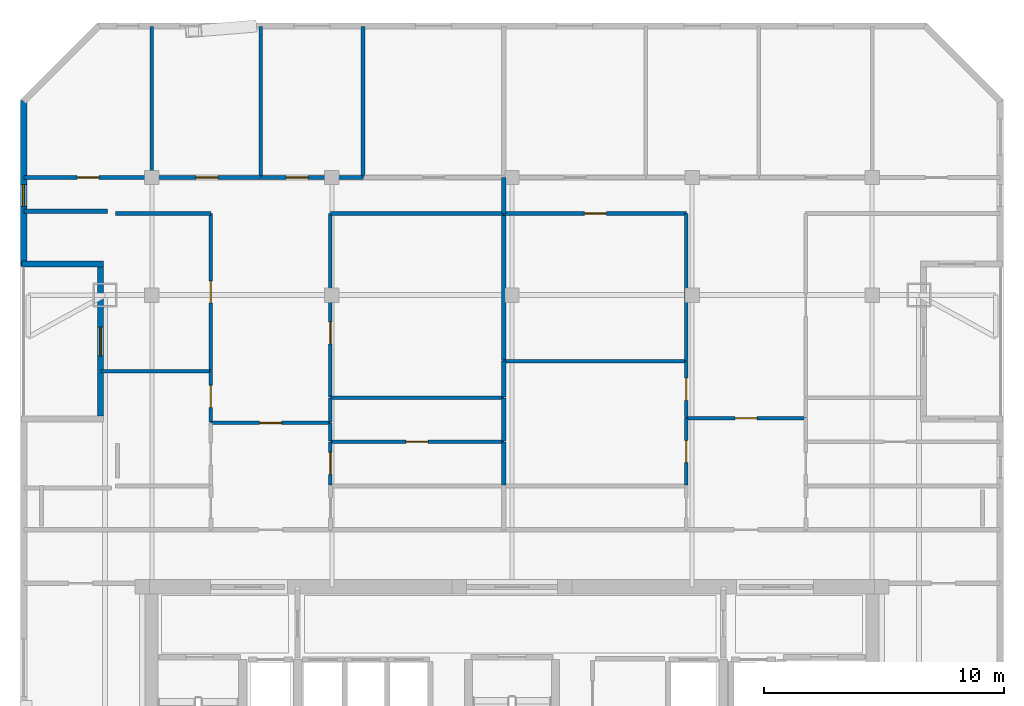
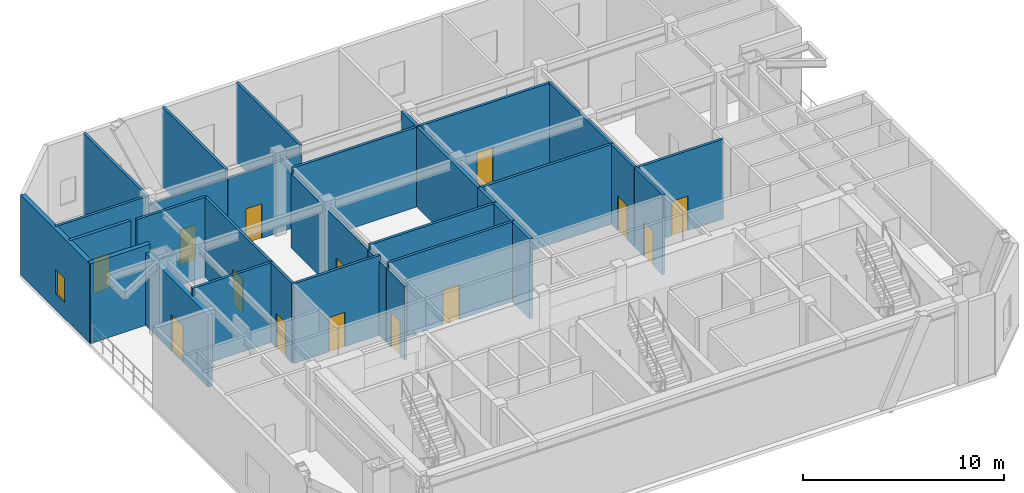
# One storey, part 4 of 7: 33 walls, 14 doors, 1 window, 15 openings.
"""IFC4 building model written with IfcOpenShell, lengths in metres."""

from ifc_helpers import new_model, si_unit, direction, frame, frame_2d, origin, place, context, subcontext, project, spatial, rectangle, extrude, material, layer, layer_set, type_object, element, fill, save


model = new_model("IFC4")

# Units and contexts
model_context = context("Model", 3, precision=1e-05, world=origin(), true_north=direction((0.0, 1.0)))
body_context = subcontext(model_context, "Body", "Model", "MODEL_VIEW")
ifc_project = project(units=[si_unit("LENGTHUNIT", "METRE"), si_unit("AREAUNIT", "SQUARE_METRE"), si_unit("VOLUMEUNIT", "CUBIC_METRE"), si_unit("PLANEANGLEUNIT", "RADIAN"), si_unit("MASSUNIT", "GRAM", prefix="KILO")], contexts=[model_context])

# Site, building, storey
site_placement = place(None, origin())
site = spatial("IfcSite", under=ifc_project, at=site_placement, CompositionType="ELEMENT")
building_placement = place(site_placement, origin())
building = spatial("IfcBuilding", under=site, at=building_placement, Name="Ventersveld Concourse Tower", CompositionType="ELEMENT")
storey_placement = place(building_placement, frame((0.0, 0.0, 276.0)))
storey = spatial("IfcBuildingStorey", under=building, at=storey_placement, Name="L68", CompositionType="ELEMENT", Elevation=276.0)

# Walls
ifc_material_1 = material(Name="Fire-rated autoclaved aerated masonry blockwork", Category="masonry")
ifc_layer_1 = layer(ifc_material_1, 0.179931640625)
ifc_layer_set_1 = layer_set([ifc_layer_1], Name="Fire-rated autoclaved aerated masonry blockwork")
wall_type_1 = type_object("IfcWallType", Name="WL-CORR-180", PredefinedType="PARTITIONING", material=ifc_layer_set_1)
wall_1_placement = place(storey_placement, frame((11.912109375, 27.090087890625, 0.0), z_axis=(0.0, 0.0, 1.0), x_axis=(-1.0, 0.0, 0.0)))
element("IfcWall", 1, at=wall_1_placement, inside=storey, type_object=wall_type_1, Name="L68 Room Enclosure Wall SP-L68-68N1-LIV", PredefinedType="PARTITIONING", context=body_context, shape_type="SweptSolid", body=[
    extrude(rectangle(XDim=3.480712890625, YDim=0.179931640625, at=frame_2d((1.740234375, 0.0))), origin(), (0.0, 0.0, 1.0), 4.85009765625),
])
ifc_layer_2 = layer(ifc_material_1, 0.199951171875)
ifc_layer_set_2 = layer_set([ifc_layer_2], Name="Fire-rated autoclaved aerated masonry blockwork")
wall_type_2 = type_object("IfcWallType", Name="WL-DEMISE-200", PredefinedType="PARTITIONING", material=ifc_layer_set_2)
wall_2_placement = place(storey_placement, frame((28.402587890625, 26.9951171875, 0.0), z_axis=(0.0, 0.0, 1.0), x_axis=(0.0, 1.0, 0.0)))
element("IfcWall", 2, at=wall_2_placement, inside=storey, type_object=wall_type_2, Name="L68 Interior Partition SP-L68-68N1-LIV-SP-L68-68N2-LIV", PredefinedType="PARTITIONING", context=body_context, shape_type="SweptSolid", body=[
    extrude(rectangle(XDim=1.509765625, YDim=0.199951171875, at=frame_2d((0.7548828125, 0.0))), origin(), (0.0, 0.0, 1.0), 4.85009765625),
])
for number, where, z_axis, x_axis, name in (
    (3, (28.402587890625, 15.695068359375, 0.0), (0.0, 0.0, 1.0), (0.0, 1.0, 0.0), "L68 Interior Partition SP-L68-68N1-KIT-SP-L68-68N2-OFFL0"),
    (4, (28.402587890625, 17.52490234375, 0.0), (0.0, 0.0, 1.0), (0.0, 1.0, 0.0), "L68 Interior Partition SP-L68-68N1-PANR1-SP-L68-68N2-OFFL0"),
):
    element("IfcWall", number, at=place(storey_placement, frame(where, z_axis=z_axis, x_axis=x_axis)), inside=storey, type_object=wall_type_2, Name=name, PredefinedType="PARTITIONING", context=body_context, shape_type="SweptSolid", body=[
        extrude(rectangle(XDim=1.800048828125, YDim=0.199951171875, at=frame_2d((0.89990234375, 0.0))), origin(), (0.0, 0.0, 1.0), 4.85009765625),
    ])
wall_3_placement = place(storey_placement, frame((28.402587890625, 19.35498046875, 0.0), z_axis=(0.0, 0.0, 1.0), x_axis=(0.0, 1.0, 0.0)))
element("IfcWall", 5, at=wall_3_placement, inside=storey, type_object=wall_type_2, Name="L68 Interior Partition SP-L68-68N1-DENR-SP-L68-68N2-OFFL0", PredefinedType="PARTITIONING", context=body_context, shape_type="SweptSolid", body=[
    extrude(rectangle(XDim=1.502685546875, YDim=0.199951171875, at=frame_2d((0.75146484375, 0.0))), origin(), (0.0, 0.0, 1.0), 4.85009765625),
])
wall_4_placement = place(storey_placement, frame((28.402587890625, 20.8876953125, 0.0), z_axis=(0.0, 0.0, 1.0), x_axis=(0.0, 1.0, 0.0)))
element("IfcWall", 6, at=wall_4_placement, inside=storey, type_object=wall_type_2, Name="L68 Interior Partition SP-L68-68N1-DENR-SP-L68-68N2-MEDL2", PredefinedType="PARTITIONING", context=body_context, shape_type="SweptSolid", body=[
    extrude(rectangle(XDim=6.077392578125, YDim=0.199951171875, at=frame_2d((3.03857421875, 0.0))), origin(), (0.0, 0.0, 1.0), 4.85009765625),
])

# Wall, opening, door
ifc_material_2 = material(Name="Autoclaved aerated masonry blockwork", Category="masonry")
ifc_layer_3 = layer(ifc_material_2, 0.14990234375)
ifc_layer_set_3 = layer_set([ifc_layer_3], Name="Autoclaved aerated masonry blockwork")
wall_type_3 = type_object("IfcWallType", Name="WL-INT-150", PredefinedType="PARTITIONING", material=ifc_layer_set_3)
wall_5_placement = place(storey_placement, frame((16.202392578125, 18.27978515625, 0.0), z_axis=(0.0, 0.0, 1.0), x_axis=(1.0, 0.0, 0.0)))
wall_5 = element("IfcWall", 7, at=wall_5_placement, inside=storey, type_object=wall_type_3, Name="L68 Interior Partition SP-L68-68N1-FOY-SP-L68-68N1-LIV", PredefinedType="PARTITIONING", context=body_context, shape_type="SweptSolid", body=[
    extrude(rectangle(XDim=4.989990234375, YDim=0.14990234375, at=frame_2d((2.4951171875, 0.0))), origin(), (0.0, 0.0, 1.0), 4.85009765625),
])
opening_1_placement = place(wall_5_placement, frame((2.034912109375, 0.0, 0.0)))
opening_1 = element("IfcOpeningElement", 8, at=opening_1_placement, cuts=wall_5, Name="Opening ID1", PredefinedType="OPENING", context=body_context, shape_type="SweptSolid", body=[
    extrude(rectangle(XDim=0.919921875, YDim=2.10009765625, at=frame_2d((0.4599609375, 1.050048828125))), frame((0.0, 0.0849609375, 0.0), z_axis=(0.0, -1.0, 0.0), x_axis=(1.0, 0.0, 0.0)), (0.0, 0.0, 1.0), 0.169921875),
])
ifc_material_3 = material(Name="Solid-core hardwood veneer timber", Category="wood")
door_type_1 = type_object("IfcDoorType", Name="DR-ROOM-092", OperationType="NOTDEFINED", PredefinedType="DOOR", material=ifc_material_3)
door_1_placement = place(opening_1_placement, origin())
door_1 = element("IfcDoor", 9, at=door_1_placement, inside=storey, type_object=door_type_1, Name="L68 Interior Door SP-L68-68N1-FOY to SP-L68-68N1-LIV (D-L68-3186)", OperationType="SINGLE_SWING_RIGHT", OverallHeight=2.10009765625, OverallWidth=0.919921875, PredefinedType="DOOR", context=body_context, shape_type="SweptSolid", body=[
    extrude(rectangle(XDim=0.919921875, YDim=2.10009765625, at=frame_2d((0.4599609375, 1.050048828125))), frame((0.0, 0.02490234375, 0.0), z_axis=(0.0, -1.0, 0.0), x_axis=(1.0, 0.0, 0.0)), (0.0, 0.0, 1.0), 0.050048828125),
])
fill(opening_1, door_1)

wall_6_placement = place(storey_placement, frame((21.1875, 15.695068359375, 0.0), z_axis=(0.0, 0.0, 1.0), x_axis=(0.0, 1.0, 0.0)))
wall_6 = element("IfcWall", 10, at=wall_6_placement, inside=storey, type_object=wall_type_3, Name="L68 Interior Partition SP-L68-68N1-FOY-SP-L68-68N1-KIT", PredefinedType="PARTITIONING", context=body_context, shape_type="SweptSolid", body=[
    extrude(rectangle(XDim=1.800048828125, YDim=0.14990234375, at=frame_2d((0.89990234375, 0.0))), origin(), (0.0, 0.0, 1.0), 4.4951171875),
])
opening_2_placement = place(wall_6_placement, frame((0.43994140625, 0.0, 0.0)))
opening_2 = element("IfcOpeningElement", 11, at=opening_2_placement, cuts=wall_6, Name="Opening ID1", PredefinedType="OPENING", context=body_context, shape_type="SweptSolid", body=[
    extrude(rectangle(XDim=0.919921875, YDim=2.10009765625, at=frame_2d((0.4599609375, 1.050048828125))), frame((0.0, 0.0849609375, 0.0), z_axis=(0.0, -1.0, 0.0), x_axis=(1.0, 0.0, 0.0)), (0.0, 0.0, 1.0), 0.169921875),
])
door_2_placement = place(opening_2_placement, origin())
door_2 = element("IfcDoor", 12, at=door_2_placement, inside=storey, type_object=door_type_1, Name="L68 Interior Door SP-L68-68N1-FOY to SP-L68-68N1-KIT (D-L68-3190)", OperationType="SINGLE_SWING_RIGHT", OverallHeight=2.10009765625, OverallWidth=0.919921875, PredefinedType="DOOR", context=body_context, shape_type="SweptSolid", body=[
    extrude(rectangle(XDim=0.919921875, YDim=2.10009765625, at=frame_2d((0.4599609375, 1.050048828125))), frame((0.0, 0.02490234375, 0.0), z_axis=(0.0, -1.0, 0.0), x_axis=(1.0, 0.0, 0.0)), (0.0, 0.0, 1.0), 0.050048828125),
])
fill(opening_2, door_2)

# Wall
wall_7_placement = place(storey_placement, frame((21.1875, 17.52490234375, 0.0), z_axis=(0.0, 0.0, 1.0), x_axis=(0.0, 1.0, 0.0)))
element("IfcWall", 13, at=wall_7_placement, inside=storey, type_object=wall_type_3, Name="L68 Interior Partition SP-L68-68N1-FOY-SP-L68-68N1-PANR1", PredefinedType="PARTITIONING", context=body_context, shape_type="SweptSolid", body=[
    extrude(rectangle(XDim=0.760009765625, YDim=0.14990234375, at=frame_2d((0.3798828125, 0.0))), origin(), (0.0, 0.0, 1.0), 4.4951171875),
])

# Wall, opening, door
wall_8_placement = place(storey_placement, frame((16.20751953125, 18.314697265625, 0.0), z_axis=(0.0, 0.0, 1.0), x_axis=(0.0, 1.0, 0.0)))
wall_8 = element("IfcWall", 14, at=wall_8_placement, inside=storey, type_object=wall_type_3, Name="L68 Interior Partition SP-L68-68N1-LIV-SP-L68-68N1-OFFL0", PredefinedType="PARTITIONING", context=body_context, shape_type="SweptSolid", body=[
    extrude(rectangle(XDim=2.12841796875, YDim=0.14990234375, at=frame_2d((1.064208984375, 0.0))), origin(), (0.0, 0.0, 1.0), 4.85009765625),
])
opening_3_placement = place(wall_8_placement, frame((0.604248046875, 0.0, 0.0)))
opening_3 = element("IfcOpeningElement", 15, at=opening_3_placement, cuts=wall_8, Name="Opening ID1", PredefinedType="OPENING", context=body_context, shape_type="SweptSolid", body=[
    extrude(rectangle(XDim=0.919921875, YDim=2.10009765625, at=frame_2d((0.4599609375, 1.050048828125))), frame((0.0, 0.0849609375, 0.0), z_axis=(0.0, -1.0, 0.0), x_axis=(1.0, 0.0, 0.0)), (0.0, 0.0, 1.0), 0.169921875),
])
door_3_placement = place(opening_3_placement, origin())
door_3 = element("IfcDoor", 16, at=door_3_placement, inside=storey, type_object=door_type_1, Name="L68 Interior Door SP-L68-68N1-LIV to SP-L68-68N1-OFFL0 (D-L68-3191)", OperationType="SINGLE_SWING_LEFT", OverallHeight=2.10009765625, OverallWidth=0.919921875, PredefinedType="DOOR", context=body_context, shape_type="SweptSolid", body=[
    extrude(rectangle(XDim=0.919921875, YDim=2.10009765625, at=frame_2d((0.4599609375, 1.050048828125))), frame((0.0, 0.02490234375, 0.0), z_axis=(0.0, -1.0, 0.0), x_axis=(1.0, 0.0, 0.0)), (0.0, 0.0, 1.0), 0.050048828125),
])
fill(opening_3, door_3)

wall_9_placement = place(storey_placement, frame((16.20751953125, 20.47314453125, 0.0), z_axis=(0.0, 0.0, 1.0), x_axis=(0.0, 1.0, 0.0)))
wall_9 = element("IfcWall", 17, at=wall_9_placement, inside=storey, type_object=wall_type_3, Name="L68 Interior Partition SP-L68-68N1-LIV-SP-L68-68N1-MEDL2", PredefinedType="PARTITIONING", context=body_context, shape_type="SweptSolid", body=[
    extrude(rectangle(XDim=6.53173828125, YDim=0.14990234375, at=frame_2d((3.265869140625, 0.0))), origin(), (0.0, 0.0, 1.0), 4.85009765625),
])
opening_4_placement = place(wall_9_placement, frame((2.805908203125, 0.0, 0.0)))
opening_4 = element("IfcOpeningElement", 18, at=opening_4_placement, cuts=wall_9, Name="Opening ID1", PredefinedType="OPENING", context=body_context, shape_type="SweptSolid", body=[
    extrude(rectangle(XDim=0.919921875, YDim=2.10009765625, at=frame_2d((0.4599609375, 1.050048828125))), frame((0.0, 0.0849609375, 0.0), z_axis=(0.0, -1.0, 0.0), x_axis=(1.0, 0.0, 0.0)), (0.0, 0.0, 1.0), 0.169921875),
])
door_4_placement = place(opening_4_placement, origin())
door_4 = element("IfcDoor", 19, at=door_4_placement, inside=storey, type_object=door_type_1, Name="L68 Interior Door SP-L68-68N1-LIV to SP-L68-68N1-MEDL2 (D-L68-3192)", OperationType="SINGLE_SWING_RIGHT", OverallHeight=2.10009765625, OverallWidth=0.919921875, PredefinedType="DOOR", context=body_context, shape_type="SweptSolid", body=[
    extrude(rectangle(XDim=0.919921875, YDim=2.10009765625, at=frame_2d((0.4599609375, 1.050048828125))), frame((0.0, 0.02490234375, 0.0), z_axis=(0.0, -1.0, 0.0), x_axis=(1.0, 0.0, 0.0)), (0.0, 0.0, 1.0), 0.050048828125),
])
fill(opening_4, door_4)

# Walls
wall_10_placement = place(storey_placement, frame((12.22705078125, 27.0, 0.0), z_axis=(0.0, 0.0, 1.0), x_axis=(1.0, 0.0, 0.0)))
element("IfcWall", 20, at=wall_10_placement, inside=storey, type_object=wall_type_3, Name="L68 Interior Partition SP-L68-68N1-LIV-SP-L68-68N1-MEDL2", PredefinedType="PARTITIONING", context=body_context, shape_type="SweptSolid", body=[
    extrude(rectangle(XDim=3.9853515625, YDim=0.14990234375, at=frame_2d((1.99267578125, 0.0))), origin(), (0.0, 0.0, 1.0), 4.85009765625),
])
wall_11_placement = place(storey_placement, frame((21.1875, 18.314697265625, 0.0), z_axis=(0.0, 0.0, 1.0), x_axis=(0.0, 1.0, 0.0)))
element("IfcWall", 21, at=wall_11_placement, inside=storey, type_object=wall_type_3, Name="L68 Interior Partition SP-L68-68N1-LIV-SP-L68-68N1-PANR1", PredefinedType="PARTITIONING", context=body_context, shape_type="SweptSolid", body=[
    extrude(rectangle(XDim=1.01025390625, YDim=0.14990234375, at=frame_2d((0.505126953125, 0.0))), origin(), (0.0, 0.0, 1.0), 4.4951171875),
])

# Wall, opening, door
wall_12_placement = place(storey_placement, frame((21.1875, 19.35498046875, 0.0), z_axis=(0.0, 0.0, 1.0), x_axis=(0.0, 1.0, 0.0)))
wall_12 = element("IfcWall", 22, at=wall_12_placement, inside=storey, type_object=wall_type_3, Name="L68 Interior Partition SP-L68-68N1-LIV-SP-L68-68N1-DENR", PredefinedType="PARTITIONING", context=body_context, shape_type="SweptSolid", body=[
    extrude(rectangle(XDim=7.64990234375, YDim=0.14990234375, at=frame_2d((3.824951171875, 0.0))), origin(), (0.0, 0.0, 1.0), 4.4951171875),
])
opening_5_placement = place(wall_12_placement, frame((2.217529296875, 0.0, 0.0)))
opening_5 = element("IfcOpeningElement", 23, at=opening_5_placement, cuts=wall_12, Name="Opening ID1", PredefinedType="OPENING", context=body_context, shape_type="SweptSolid", body=[
    extrude(rectangle(XDim=0.919921875, YDim=2.10009765625, at=frame_2d((0.4599609375, 1.050048828125))), frame((0.0, 0.0849609375, 0.0), z_axis=(0.0, -1.0, 0.0), x_axis=(1.0, 0.0, 0.0)), (0.0, 0.0, 1.0), 0.169921875),
])
door_5_placement = place(opening_5_placement, origin())
door_5 = element("IfcDoor", 24, at=door_5_placement, inside=storey, type_object=door_type_1, Name="L68 Interior Door SP-L68-68N1-LIV to SP-L68-68N1-DENR (D-L68-3193)", OperationType="SINGLE_SWING_LEFT", OverallHeight=2.10009765625, OverallWidth=0.919921875, PredefinedType="DOOR", context=body_context, shape_type="SweptSolid", body=[
    extrude(rectangle(XDim=0.919921875, YDim=2.10009765625, at=frame_2d((0.4599609375, 1.050048828125))), frame((0.0, 0.02490234375, 0.0), z_axis=(0.0, -1.0, 0.0), x_axis=(1.0, 0.0, 0.0)), (0.0, 0.0, 1.0), 0.050048828125),
])
fill(opening_5, door_5)

# Wall
wall_13_placement = place(storey_placement, frame((21.1826171875, 27.0, 0.0), z_axis=(0.0, 0.0, 1.0), x_axis=(1.0, 0.0, 0.0)))
element("IfcWall", 25, at=wall_13_placement, inside=storey, type_object=wall_type_3, Name="L68 Interior Partition SP-L68-68N1-LIV-SP-L68-68N1-DENR", PredefinedType="PARTITIONING", context=body_context, shape_type="SweptSolid", body=[
    extrude(rectangle(XDim=7.22509765625, YDim=0.14990234375, at=frame_2d((3.612548828125, 0.0))), origin(), (0.0, 0.0, 1.0), 4.85009765625),
])

# Wall, opening, door
wall_14_placement = place(storey_placement, frame((8.431396484375, 28.5, 0.0), z_axis=(0.0, 0.0, 1.0), x_axis=(1.0, 0.0, 0.0)))
wall_14 = element("IfcWall", 26, at=wall_14_placement, inside=storey, type_object=wall_type_3, Name="L68 Interior Partition SP-L68-68N1-LIV-SP-L68-68N1-BR1", PredefinedType="PARTITIONING", context=body_context, shape_type="SweptSolid", body=[
    extrude(rectangle(XDim=5.323486328125, YDim=0.14990234375, at=frame_2d((2.66162109375, 0.0))), origin(), (0.0, 0.0, 1.0), 4.85009765625),
])
opening_6_placement = place(wall_14_placement, frame((2.201904296875, 0.0, 0.0)))
opening_6 = element("IfcOpeningElement", 27, at=opening_6_placement, cuts=wall_14, Name="Opening ID1", PredefinedType="OPENING", context=body_context, shape_type="SweptSolid", body=[
    extrude(rectangle(XDim=0.919921875, YDim=2.10009765625, at=frame_2d((0.4599609375, 1.050048828125))), frame((0.0, 0.0849609375, 0.0), z_axis=(0.0, -1.0, 0.0), x_axis=(1.0, 0.0, 0.0)), (0.0, 0.0, 1.0), 0.169921875),
])
door_6_placement = place(opening_6_placement, origin())
door_6 = element("IfcDoor", 28, at=door_6_placement, inside=storey, type_object=door_type_1, Name="L68 Interior Door SP-L68-68N1-LIV to SP-L68-68N1-BR1 (D-L68-3194)", OperationType="SINGLE_SWING_RIGHT", OverallHeight=2.10009765625, OverallWidth=0.919921875, PredefinedType="DOOR", context=body_context, shape_type="SweptSolid", body=[
    extrude(rectangle(XDim=0.919921875, YDim=2.10009765625, at=frame_2d((0.4599609375, 1.050048828125))), frame((0.0, 0.02490234375, 0.0), z_axis=(0.0, -1.0, 0.0), x_axis=(1.0, 0.0, 0.0)), (0.0, 0.0, 1.0), 0.050048828125),
])
fill(opening_6, door_6)

wall_15_placement = place(storey_placement, frame((13.784912109375, 28.5, 0.0), z_axis=(0.0, 0.0, 1.0), x_axis=(1.0, 0.0, 0.0)))
wall_15 = element("IfcWall", 29, at=wall_15_placement, inside=storey, type_object=wall_type_3, Name="L68 Interior Partition SP-L68-68N1-LIV-SP-L68-68N1-BR2", PredefinedType="PARTITIONING", context=body_context, shape_type="SweptSolid", body=[
    extrude(rectangle(XDim=4.511962890625, YDim=0.14990234375, at=frame_2d((2.255859375, 0.0))), origin(), (0.0, 0.0, 1.0), 4.305419921875),
])
opening_7_placement = place(wall_15_placement, frame((1.7958984375, 0.0, 0.0)))
opening_7 = element("IfcOpeningElement", 30, at=opening_7_placement, cuts=wall_15, Name="Opening ID1", PredefinedType="OPENING", context=body_context, shape_type="SweptSolid", body=[
    extrude(rectangle(XDim=0.919921875, YDim=2.10009765625, at=frame_2d((0.4599609375, 1.050048828125))), frame((0.0, 0.0849609375, 0.0), z_axis=(0.0, -1.0, 0.0), x_axis=(1.0, 0.0, 0.0)), (0.0, 0.0, 1.0), 0.169921875),
])
door_7_placement = place(opening_7_placement, origin())
door_7 = element("IfcDoor", 31, at=door_7_placement, inside=storey, type_object=door_type_1, Name="L68 Interior Door SP-L68-68N1-LIV to SP-L68-68N1-BR2 (D-L68-3195)", OperationType="SINGLE_SWING_LEFT", OverallHeight=2.10009765625, OverallWidth=0.919921875, PredefinedType="DOOR", context=body_context, shape_type="SweptSolid", body=[
    extrude(rectangle(XDim=0.919921875, YDim=2.10009765625, at=frame_2d((0.4599609375, 1.050048828125))), frame((0.0, 0.02490234375, 0.0), z_axis=(0.0, -1.0, 0.0), x_axis=(1.0, 0.0, 0.0)), (0.0, 0.0, 1.0), 0.050048828125),
])
fill(opening_7, door_7)

wall_16_placement = place(storey_placement, frame((18.326904296875, 28.5, 0.0), z_axis=(0.0, 0.0, 1.0), x_axis=(1.0, 0.0, 0.0)))
wall_16 = element("IfcWall", 32, at=wall_16_placement, inside=storey, type_object=wall_type_3, Name="L68 Interior Partition SP-L68-68N1-LIV-SP-L68-68N1-BR3", PredefinedType="PARTITIONING", context=body_context, shape_type="SweptSolid", body=[
    extrude(rectangle(XDim=4.22119140625, YDim=0.14990234375, at=frame_2d((2.110595703125, 0.0))), origin(), (0.0, 0.0, 1.0), 4.305419921875),
])
opening_8_placement = place(wall_16_placement, frame((1.017333984375, 0.0, 0.0)))
opening_8 = element("IfcOpeningElement", 33, at=opening_8_placement, cuts=wall_16, Name="Opening ID1", PredefinedType="OPENING", context=body_context, shape_type="SweptSolid", body=[
    extrude(rectangle(XDim=0.919921875, YDim=2.10009765625, at=frame_2d((0.4599609375, 1.050048828125))), frame((0.0, 0.0849609375, 0.0), z_axis=(0.0, -1.0, 0.0), x_axis=(1.0, 0.0, 0.0)), (0.0, 0.0, 1.0), 0.169921875),
])
door_8_placement = place(opening_8_placement, origin())
door_8 = element("IfcDoor", 34, at=door_8_placement, inside=storey, type_object=door_type_1, Name="L68 Interior Door SP-L68-68N1-LIV to SP-L68-68N1-BR3 (D-L68-3196)", OperationType="SINGLE_SWING_RIGHT", OverallHeight=2.10009765625, OverallWidth=0.919921875, PredefinedType="DOOR", context=body_context, shape_type="SweptSolid", body=[
    extrude(rectangle(XDim=0.919921875, YDim=2.10009765625, at=frame_2d((0.4599609375, 1.050048828125))), frame((0.0, 0.02490234375, 0.0), z_axis=(0.0, -1.0, 0.0), x_axis=(1.0, 0.0, 0.0)), (0.0, 0.0, 1.0), 0.050048828125),
])
fill(opening_8, door_8)

# Wall
wall_17_placement = place(storey_placement, frame((11.631591796875, 20.438232421875, 0.0), z_axis=(0.0, 0.0, 1.0), x_axis=(1.0, 0.0, 0.0)))
element("IfcWall", 35, at=wall_17_placement, inside=storey, type_object=wall_type_3, Name="L68 Interior Partition SP-L68-68N1-OFFL0-SP-L68-68N1-MEDL2", PredefinedType="PARTITIONING", context=body_context, shape_type="SweptSolid", body=[
    extrude(rectangle(XDim=4.580810546875, YDim=0.14990234375, at=frame_2d((2.29052734375, 0.0))), origin(), (0.0, 0.0, 1.0), 4.85009765625),
])

# Wall, opening, door
wall_18_placement = place(storey_placement, frame((21.1826171875, 17.489990234375, 0.0), z_axis=(0.0, 0.0, 1.0), x_axis=(1.0, 0.0, 0.0)))
wall_18 = element("IfcWall", 36, at=wall_18_placement, inside=storey, type_object=wall_type_3, Name="L68 Interior Partition SP-L68-68N1-KIT-SP-L68-68N1-PANR1", PredefinedType="PARTITIONING", context=body_context, shape_type="SweptSolid", body=[
    extrude(rectangle(XDim=7.22509765625, YDim=0.14990234375, at=frame_2d((3.612548828125, 0.0))), origin(), (0.0, 0.0, 1.0), 4.85009765625),
])
opening_9_placement = place(wall_18_placement, frame((3.152587890625, 0.0, 0.0)))
opening_9 = element("IfcOpeningElement", 37, at=opening_9_placement, cuts=wall_18, Name="Opening ID1", PredefinedType="OPENING", context=body_context, shape_type="SweptSolid", body=[
    extrude(rectangle(XDim=0.919921875, YDim=2.10009765625, at=frame_2d((0.4599609375, 1.050048828125))), frame((0.0, 0.0849609375, 0.0), z_axis=(0.0, -1.0, 0.0), x_axis=(1.0, 0.0, 0.0)), (0.0, 0.0, 1.0), 0.169921875),
])
door_9_placement = place(opening_9_placement, origin())
door_9 = element("IfcDoor", 38, at=door_9_placement, inside=storey, type_object=door_type_1, Name="L68 Interior Door Flat 68N1 Beverage Tea Pantry (D-L68-3210)", OperationType="SINGLE_SWING_LEFT", OverallHeight=2.10009765625, OverallWidth=0.919921875, PredefinedType="DOOR", context=body_context, shape_type="SweptSolid", body=[
    extrude(rectangle(XDim=0.919921875, YDim=2.10009765625, at=frame_2d((0.4599609375, 1.050048828125))), frame((0.0, 0.02490234375, 0.0), z_axis=(0.0, -1.0, 0.0), x_axis=(1.0, 0.0, 0.0)), (0.0, 0.0, 1.0), 0.050048828125),
])
fill(opening_9, door_9)

# Walls
wall_19_placement = place(storey_placement, frame((21.1826171875, 19.320068359375, 0.0), z_axis=(0.0, 0.0, 1.0), x_axis=(1.0, 0.0, 0.0)))
element("IfcWall", 39, at=wall_19_placement, inside=storey, type_object=wall_type_3, Name="L68 Interior Partition SP-L68-68N1-PANR1-SP-L68-68N1-DENR", PredefinedType="PARTITIONING", context=body_context, shape_type="SweptSolid", body=[
    extrude(rectangle(XDim=7.22509765625, YDim=0.14990234375, at=frame_2d((3.612548828125, 0.0))), origin(), (0.0, 0.0, 1.0), 4.85009765625),
])
for number, where, z_axis, x_axis, name in (
    (40, (13.75, 28.4951171875, 0.0), (0.0, 0.0, 1.0), (0.0, 1.0, 0.0), "L68 Interior Partition SP-L68-68N1-BR1-SP-L68-68N1-BR2"),
    (41, (18.2919921875, 28.4951171875, 0.0), (0.0, 0.0, 1.0), (0.0, 1.0, 0.0), "L68 Interior Partition SP-L68-68N1-BR2-SP-L68-68N1-BR3"),
    (42, (22.54296875, 28.4951171875, 0.0), (0.0, 0.0, 1.0), (0.0, 1.0, 0.0), "L68 Interior Partition SP-L68-68N1-BR3-SP-L68-68N1-BR4"),
):
    element("IfcWall", number, at=place(storey_placement, frame(where, z_axis=z_axis, x_axis=x_axis)), inside=storey, type_object=wall_type_3, Name=name, PredefinedType="PARTITIONING", context=body_context, shape_type="SweptSolid", body=[
        extrude(rectangle(XDim=6.29345703125, YDim=0.14990234375, at=frame_2d((3.146728515625, 0.0))), origin(), (0.0, 0.0, 1.0), 4.85009765625),
    ])

# Wall, opening, door
wall_20_placement = place(storey_placement, frame((36.0029296875, 18.470703125, 0.0), z_axis=(0.0, 0.0, 1.0), x_axis=(1.0, 0.0, 0.0)))
wall_20 = element("IfcWall", 43, at=wall_20_placement, inside=storey, type_object=wall_type_3, Name="L68 Interior Partition SP-L68-68N2-FOY-SP-L68-68N2-LIV", PredefinedType="PARTITIONING", context=body_context, shape_type="SweptSolid", body=[
    extrude(rectangle(XDim=4.989990234375, YDim=0.14990234375, at=frame_2d((2.4951171875, 0.0))), origin(), (0.0, 0.0, 1.0), 4.85009765625),
])
opening_10_placement = place(wall_20_placement, frame((2.034912109375, 0.0, 0.0)))
opening_10 = element("IfcOpeningElement", 44, at=opening_10_placement, cuts=wall_20, Name="Opening ID1", PredefinedType="OPENING", context=body_context, shape_type="SweptSolid", body=[
    extrude(rectangle(XDim=0.919921875, YDim=2.10009765625, at=frame_2d((0.4599609375, 1.050048828125))), frame((0.0, 0.0849609375, 0.0), z_axis=(0.0, -1.0, 0.0), x_axis=(1.0, 0.0, 0.0)), (0.0, 0.0, 1.0), 0.169921875),
])
door_10_placement = place(opening_10_placement, origin())
door_10 = element("IfcDoor", 45, at=door_10_placement, inside=storey, type_object=door_type_1, Name="L68 Interior Door SP-L68-68N2-FOY to SP-L68-68N2-LIV (D-L68-3198)", OperationType="SINGLE_SWING_RIGHT", OverallHeight=2.10009765625, OverallWidth=0.919921875, PredefinedType="DOOR", context=body_context, shape_type="SweptSolid", body=[
    extrude(rectangle(XDim=0.919921875, YDim=2.10009765625, at=frame_2d((0.4599609375, 1.050048828125))), frame((0.0, 0.02490234375, 0.0), z_axis=(0.0, -1.0, 0.0), x_axis=(1.0, 0.0, 0.0)), (0.0, 0.0, 1.0), 0.050048828125),
])
fill(opening_10, door_10)

wall_21_placement = place(storey_placement, frame((36.0078125, 15.695068359375, 0.0), z_axis=(0.0, 0.0, 1.0), x_axis=(0.0, 1.0, 0.0)))
wall_21 = element("IfcWall", 46, at=wall_21_placement, inside=storey, type_object=wall_type_3, Name="L68 Interior Partition SP-L68-68N2-FOY-SP-L68-68N2-OFFL0", PredefinedType="PARTITIONING", context=body_context, shape_type="SweptSolid", body=[
    extrude(rectangle(XDim=2.78076171875, YDim=0.14990234375, at=frame_2d((1.390380859375, 0.0))), origin(), (0.0, 0.0, 1.0), 4.85009765625),
])
opening_11_placement = place(wall_21_placement, frame((0.930419921875, 0.0, 0.0)))
opening_11 = element("IfcOpeningElement", 47, at=opening_11_placement, cuts=wall_21, Name="Opening ID1", PredefinedType="OPENING", context=body_context, shape_type="SweptSolid", body=[
    extrude(rectangle(XDim=0.919921875, YDim=2.10009765625, at=frame_2d((0.4599609375, 1.050048828125))), frame((0.0, 0.0849609375, 0.0), z_axis=(0.0, -1.0, 0.0), x_axis=(1.0, 0.0, 0.0)), (0.0, 0.0, 1.0), 0.169921875),
])
door_11_placement = place(opening_11_placement, origin())
door_11 = element("IfcDoor", 48, at=door_11_placement, inside=storey, type_object=door_type_1, Name="L68 Interior Door SP-L68-68N2-FOY to SP-L68-68N2-OFFL0 (D-L68-3200)", OperationType="SINGLE_SWING_RIGHT", OverallHeight=2.10009765625, OverallWidth=0.919921875, PredefinedType="DOOR", context=body_context, shape_type="SweptSolid", body=[
    extrude(rectangle(XDim=0.919921875, YDim=2.10009765625, at=frame_2d((0.4599609375, 1.050048828125))), frame((0.0, 0.02490234375, 0.0), z_axis=(0.0, -1.0, 0.0), x_axis=(1.0, 0.0, 0.0)), (0.0, 0.0, 1.0), 0.050048828125),
])
fill(opening_11, door_11)

wall_22_placement = place(storey_placement, frame((36.0078125, 18.505859375, 0.0), z_axis=(0.0, 0.0, 1.0), x_axis=(0.0, 1.0, 0.0)))
wall_22 = element("IfcWall", 49, at=wall_22_placement, inside=storey, type_object=wall_type_3, Name="L68 Interior Partition SP-L68-68N2-LIV-SP-L68-68N2-OFFL0", PredefinedType="PARTITIONING", context=body_context, shape_type="SweptSolid", body=[
    extrude(rectangle(XDim=2.351806640625, YDim=0.14990234375, at=frame_2d((1.17578125, 0.0))), origin(), (0.0, 0.0, 1.0), 4.85009765625),
])
opening_12_placement = place(wall_22_placement, frame((0.716064453125, 0.0, 0.0)))
opening_12 = element("IfcOpeningElement", 50, at=opening_12_placement, cuts=wall_22, Name="Opening ID1", PredefinedType="OPENING", context=body_context, shape_type="SweptSolid", body=[
    extrude(rectangle(XDim=0.919921875, YDim=2.10009765625, at=frame_2d((0.4599609375, 1.050048828125))), frame((0.0, 0.0849609375, 0.0), z_axis=(0.0, -1.0, 0.0), x_axis=(1.0, 0.0, 0.0)), (0.0, 0.0, 1.0), 0.169921875),
])
door_12_placement = place(opening_12_placement, origin())
door_12 = element("IfcDoor", 51, at=door_12_placement, inside=storey, type_object=door_type_1, Name="L68 Interior Door SP-L68-68N2-LIV to SP-L68-68N2-OFFL0 (D-L68-3203)", OperationType="SINGLE_SWING_LEFT", OverallHeight=2.10009765625, OverallWidth=0.919921875, PredefinedType="DOOR", context=body_context, shape_type="SweptSolid", body=[
    extrude(rectangle(XDim=0.919921875, YDim=2.10009765625, at=frame_2d((0.4599609375, 1.050048828125))), frame((0.0, 0.02490234375, 0.0), z_axis=(0.0, -1.0, 0.0), x_axis=(1.0, 0.0, 0.0)), (0.0, 0.0, 1.0), 0.050048828125),
])
fill(opening_12, door_12)

wall_23_placement = place(storey_placement, frame((28.437744140625, 27.0, 0.0), z_axis=(0.0, 0.0, 1.0), x_axis=(1.0, 0.0, 0.0)))
wall_23 = element("IfcWall", 52, at=wall_23_placement, inside=storey, type_object=wall_type_3, Name="L68 Interior Partition SP-L68-68N2-LIV-SP-L68-68N2-MEDL2", PredefinedType="PARTITIONING", context=body_context, shape_type="SweptSolid", body=[
    extrude(rectangle(XDim=7.5751953125, YDim=0.14990234375, at=frame_2d((3.78759765625, 0.0))), origin(), (0.0, 0.0, 1.0), 4.85009765625),
])
opening_13_placement = place(wall_23_placement, frame((3.32763671875, 0.0, 0.0)))
opening_13 = element("IfcOpeningElement", 53, at=opening_13_placement, cuts=wall_23, Name="Opening ID1", PredefinedType="OPENING", context=body_context, shape_type="SweptSolid", body=[
    extrude(rectangle(XDim=0.919921875, YDim=2.10009765625, at=frame_2d((0.4599609375, 1.050048828125))), frame((0.0, 0.0849609375, 0.0), z_axis=(0.0, -1.0, 0.0), x_axis=(1.0, 0.0, 0.0)), (0.0, 0.0, 1.0), 0.169921875),
])
door_13_placement = place(opening_13_placement, origin())
door_13 = element("IfcDoor", 54, at=door_13_placement, inside=storey, type_object=door_type_1, Name="L68 Interior Door SP-L68-68N2-LIV to SP-L68-68N2-MEDL2 (D-L68-3204)", OperationType="SINGLE_SWING_RIGHT", OverallHeight=2.10009765625, OverallWidth=0.919921875, PredefinedType="DOOR", context=body_context, shape_type="SweptSolid", body=[
    extrude(rectangle(XDim=0.919921875, YDim=2.10009765625, at=frame_2d((0.4599609375, 1.050048828125))), frame((0.0, 0.02490234375, 0.0), z_axis=(0.0, -1.0, 0.0), x_axis=(1.0, 0.0, 0.0)), (0.0, 0.0, 1.0), 0.050048828125),
])
fill(opening_13, door_13)

# Walls
wall_24_placement = place(storey_placement, frame((36.0078125, 20.8876953125, 0.0), z_axis=(0.0, 0.0, 1.0), x_axis=(0.0, 1.0, 0.0)))
element("IfcWall", 55, at=wall_24_placement, inside=storey, type_object=wall_type_3, Name="L68 Interior Partition SP-L68-68N2-LIV-SP-L68-68N2-MEDL2", PredefinedType="PARTITIONING", context=body_context, shape_type="SweptSolid", body=[
    extrude(rectangle(XDim=6.1171875, YDim=0.14990234375, at=frame_2d((3.05859375, 0.0))), origin(), (0.0, 0.0, 1.0), 4.85009765625),
])
wall_25_placement = place(storey_placement, frame((28.397705078125, 20.852783203125, 0.0), z_axis=(0.0, 0.0, 1.0), x_axis=(1.0, 0.0, 0.0)))
element("IfcWall", 56, at=wall_25_placement, inside=storey, type_object=wall_type_3, Name="L68 Interior Partition SP-L68-68N2-OFFL0-SP-L68-68N2-MEDL2", PredefinedType="PARTITIONING", context=body_context, shape_type="SweptSolid", body=[
    extrude(rectangle(XDim=7.615234375, YDim=0.14990234375, at=frame_2d((3.8076171875, 0.0))), origin(), (0.0, 0.0, 1.0), 4.85009765625),
])

# Wall, opening, window
ifc_material_4 = material(Name="Precast concrete C45/55", Category="concrete")
ifc_layer_4 = layer(ifc_material_4, 0.260009765625)
ifc_layer_set_4 = layer_set([ifc_layer_4], Name="Precast concrete C45/55")
wall_type_4 = type_object("IfcWallType", Name="WL-PREC-260", PredefinedType="SOLIDWALL", material=ifc_layer_set_4)
wall_26_placement = place(storey_placement, frame((8.412109375, 31.697998046875, 0.0), z_axis=(0.0, 0.0, 1.0), x_axis=(0.0, -1.0, 0.0)))
wall_26 = element("IfcWall", 57, at=wall_26_placement, inside=storey, type_object=wall_type_4, Name="L68 Highveld Precast Facade Wall E11", PredefinedType="SOLIDWALL", context=body_context, shape_type="SweptSolid", body=[
    extrude(rectangle(XDim=6.888916015625, YDim=0.260009765625, at=frame_2d((3.4443359375, 0.0))), origin(), (0.0, 0.0, 1.0), 4.85009765625),
])
opening_14_placement = place(wall_26_placement, frame((3.498046875, 0.0, 0.949951171875)))
opening_14 = element("IfcOpeningElement", 58, at=opening_14_placement, cuts=wall_26, Name="Opening W4", PredefinedType="OPENING", context=body_context, shape_type="SweptSolid", body=[
    extrude(rectangle(XDim=0.89990234375, YDim=1.5, at=frame_2d((0.449951171875, 0.75))), frame((0.0, 0.14013671875, 0.0), z_axis=(0.0, -1.0, 0.0), x_axis=(1.0, 0.0, 0.0)), (0.0, 0.0, 1.0), 0.280029296875),
])
ifc_material_5 = material(Name="Tempered acoustic Low-E IGU", Category="glass")
window_type = type_object("IfcWindowType", Name="WIN-090x150", PartitioningType="SINGLE_PANEL", PredefinedType="WINDOW", material=ifc_material_5)
window_placement = place(opening_14_placement, origin())
window = element("IfcWindow", 59, at=window_placement, inside=storey, type_object=window_type, Name="L68 Punched Low-E Window W-0968", OverallHeight=1.5, OverallWidth=0.89990234375, PartitioningType="SINGLE_PANEL", PredefinedType="WINDOW", context=body_context, shape_type="SweptSolid", body=[
    extrude(rectangle(XDim=0.89990234375, YDim=1.5, at=frame_2d((0.449951171875, 0.75))), frame((0.0, 0.030029296875, 0.0), z_axis=(0.0, -1.0, 0.0), x_axis=(1.0, 0.0, 0.0)), (0.0, 0.0, 1.0), 0.06005859375),
])
fill(opening_14, window)

# Wall
wall_27_placement = place(storey_placement, frame((8.322021484375, 24.89892578125, 0.0), z_axis=(0.0, 0.0, 1.0), x_axis=(1.0, 0.0, 0.0)))
element("IfcWall", 60, at=wall_27_placement, inside=storey, type_object=wall_type_4, Name="L68 Highveld Precast Facade Wall E12", PredefinedType="SOLIDWALL", context=body_context, shape_type="SweptSolid", body=[
    extrude(rectangle(XDim=3.419921875, YDim=0.260009765625, at=frame_2d((1.7099609375, 0.0))), origin(), (0.0, 0.0, 1.0), 4.85009765625),
])

# Wall, opening, door
wall_28_placement = place(storey_placement, frame((11.612060546875, 24.76904296875, 0.0), z_axis=(0.0, 0.0, 1.0), x_axis=(0.0, -1.0, 0.0)))
wall_28 = element("IfcWall", 61, at=wall_28_placement, inside=storey, type_object=wall_type_4, Name="L68 Highveld Precast Facade Wall E13", PredefinedType="SOLIDWALL", context=body_context, shape_type="SweptSolid", body=[
    extrude(rectangle(XDim=6.199951171875, YDim=0.260009765625, at=frame_2d((3.10009765625, 0.0))), origin(), (0.0, 0.0, 1.0), 4.389892578125),
])
opening_15_placement = place(wall_28_placement, frame((2.5, 0.0, 0.0)))
opening_15 = element("IfcOpeningElement", 62, at=opening_15_placement, cuts=wall_28, Name="Opening TD1", PredefinedType="OPENING", context=body_context, shape_type="SweptSolid", body=[
    extrude(rectangle(XDim=1.199951171875, YDim=2.199951171875, at=frame_2d((0.60009765625, 1.10009765625))), frame((0.0, 0.14013671875, 0.0), z_axis=(0.0, -1.0, 0.0), x_axis=(1.0, 0.0, 0.0)), (0.0, 0.0, 1.0), 0.280029296875),
])
ifc_material_6 = material(Name="Anodised aluminium EN AW-6063-T6", Category="aluminium")
door_type_2 = type_object("IfcDoorType", Name="DR-TERR-120", OperationType="NOTDEFINED", PredefinedType="DOOR", material=ifc_material_6)
door_14_placement = place(opening_15_placement, frame((1.199951171875, 0.0, 0.0), z_axis=(0.0, 0.0, 1.0), x_axis=(-1.0, 0.0, 0.0)))
door_14 = element("IfcDoor", 63, at=door_14_placement, inside=storey, type_object=door_type_2, Name="L68 Stepped Valley Terrace Door TD-L68-01", OperationType="SINGLE_SWING_LEFT", OverallHeight=2.199951171875, OverallWidth=1.199951171875, PredefinedType="DOOR", context=body_context, shape_type="SweptSolid", body=[
    extrude(rectangle(XDim=1.199951171875, YDim=2.199951171875, at=frame_2d((0.60009765625, 1.10009765625))), frame((0.0, 0.02490234375, 0.0), z_axis=(0.0, -1.0, 0.0), x_axis=(1.0, 0.0, 0.0)), (0.0, 0.0, 1.0), 0.050048828125),
])
fill(opening_15, door_14)

save(model, "model.ifc")
